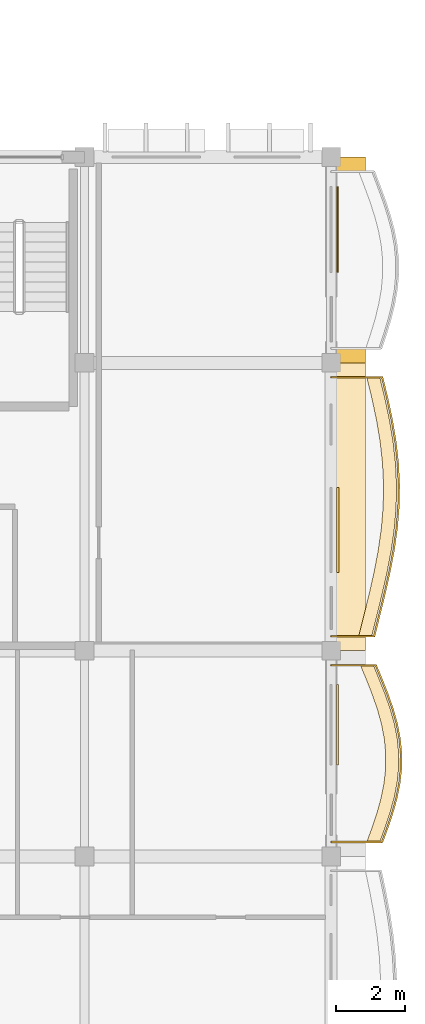
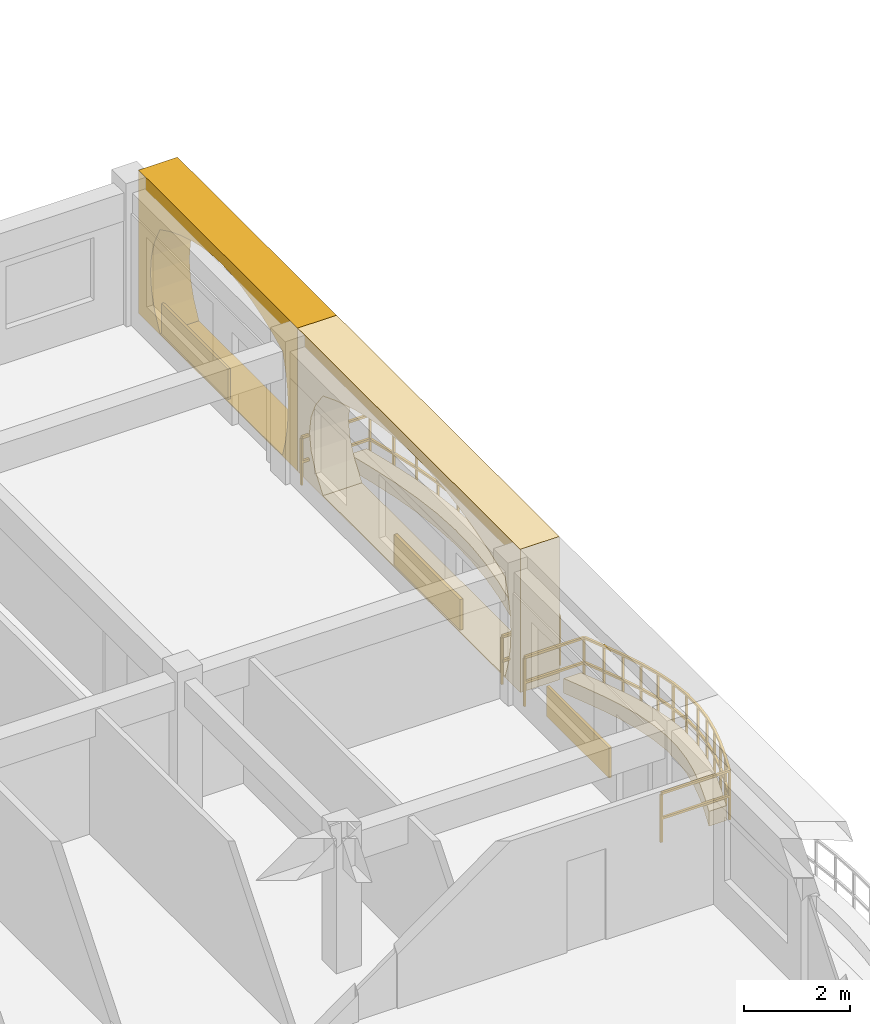
# One storey, part 94 of 101: 7 coverings, 2 railings.
"""IFC4 building model written with IfcOpenShell, lengths in metres."""

from ifc_helpers import new_model, si_unit, direction, frame, origin, origin_2d, place, context, subcontext, project, spatial, polyline, rectangle, outline, extrude, material, layer, layer_set, type_object, element, save


model = new_model("IFC4")

# Units and contexts
model_context = context("Model", 3, precision=1e-05, world=origin(), true_north=direction((0.0, 1.0)))
body_context = subcontext(model_context, "Body", "Model", "MODEL_VIEW")
ifc_project = project(units=[si_unit("LENGTHUNIT", "METRE"), si_unit("AREAUNIT", "SQUARE_METRE"), si_unit("VOLUMEUNIT", "CUBIC_METRE"), si_unit("PLANEANGLEUNIT", "RADIAN"), si_unit("MASSUNIT", "GRAM", prefix="KILO"), si_unit("THERMODYNAMICTEMPERATUREUNIT", "KELVIN")], contexts=[model_context])

# Site, building, storey
site_placement = place(None, origin())
site = spatial("IfcSite", under=ifc_project, at=site_placement, CompositionType="ELEMENT")
building_placement = place(site_placement, origin())
building = spatial("IfcBuilding", under=site, at=building_placement, Name="Thalorik Housing Commons", CompositionType="ELEMENT")
storey_placement = place(building_placement, frame((0.0, 0.0, 8.10009765625)))
storey = spatial("IfcBuildingStorey", under=building, at=storey_placement, Name="L02", CompositionType="ELEMENT", Elevation=8.10009765625)

# Coverings
ifc_material_1 = material(Name="Cobalt blue glazed ceramic facade tile panel", Category="masonry")
ifc_layer_1 = layer(ifc_material_1, 0.06005859375, Name="Cobalt blue glazed ceramic facade tile panel", Category="masonry")
ifc_layer_set_1 = layer_set([ifc_layer_1], Name="Cobalt blue glazed ceramic facade tile panel")
covering_type_1 = type_object("IfcCoveringType", Name="ARC-CLD-BLU-60", PredefinedType="CLADDING", material=ifc_layer_set_1)
covering_1_placement = place(storey_placement, frame((174.1875, 55.43994140625, 0.0498046875), z_axis=(0.0, 0.0, 1.0), x_axis=(0.0, 1.0, 0.0)))
element("IfcCovering", 1, at=covering_1_placement, inside=storey, type_object=covering_type_1, Name="L02 De Stijl Recessed Window Spandrel 4677", PredefinedType="CLADDING", context=body_context, shape_type="SweptSolid", body=[
    extrude(rectangle(XDim=2.35009765625, YDim=0.06005859375, at=origin_2d()), origin(), (0.0, 0.0, 1.0), 0.699951171875),
])
ifc_material_2 = material(Name="Precast concrete C40/50", Category="concrete")
ifc_layer_2 = layer(ifc_material_2, 0.85009765625, Name="Precast concrete C40/50", Category="concrete")
ifc_layer_set_2 = layer_set([ifc_layer_2], Name="Precast concrete C40/50")
covering_type_2 = type_object("IfcCoveringType", Name="ARC-CLD-CUSH-850", PredefinedType="CLADDING", material=ifc_layer_set_2)
covering_2_placement = place(storey_placement, frame((174.577392578125, 61.800048828125, 0.0), z_axis=(0.0, 0.0, 1.0), x_axis=(0.0, 1.0, 0.0)))
element("IfcCovering", 2, at=covering_2_placement, inside=storey, type_object=covering_type_2, Name="L02 White Precast Curved Cushion Bay Frame 4678", PredefinedType="CLADDING", context=body_context, shape_type="SweptSolid", body=[
    extrude(outline(polyline([(-4.199951171875, 0.0), (4.199951171875, 0.0), (4.199951171875, 3.300048828125), (-4.199951171875, 3.300048828125), (-4.199951171875, 0.0)]), holes=[polyline([(3.239990234375, 0.02490234375), (3.523193359375, 0.407470703125), (3.693359375, 0.7900390625), (3.75, 1.172607421875), (3.693359375, 1.554931640625), (3.523193359375, 1.9375), (3.239990234375, 2.320068359375), (2.66748046875, 2.539306640625), (2.094970703125, 2.711181640625), (1.5224609375, 2.8505859375), (0.949951171875, 2.954345703125), (0.37744140625, 3.018310546875), (-0.195068359375, 3.0400390625), (-0.767578125, 3.018310546875), (-1.340087890625, 2.954345703125), (-1.91259765625, 2.8505859375), (-2.485107421875, 2.711181640625), (-3.0576171875, 2.539306640625), (-3.6298828125, 2.320068359375), (-3.750244140625, 1.9375), (-3.822509765625, 1.554931640625), (-3.8466796875, 1.172607421875), (-3.822509765625, 0.7900390625), (-3.750244140625, 0.407470703125), (-3.6298828125, 0.02490234375), (3.239990234375, 0.02490234375)])]), frame((0.0, 0.425048828125, 0.0), z_axis=(0.0, -1.0, 0.0), x_axis=(1.0, 0.0, 0.0)), (0.0, 0.0, 1.0), 0.85009765625),
])
covering_3_placement = place(storey_placement, frame((174.577392578125, 69.0, 0.0), z_axis=(0.0, 0.0, 1.0), x_axis=(0.0, 1.0, 0.0)))
element("IfcCovering", 3, at=covering_3_placement, inside=storey, type_object=covering_type_2, Name="L02 White Precast Curved Cushion Bay Frame 4680", PredefinedType="CLADDING", context=body_context, shape_type="SweptSolid", body=[
    extrude(outline(polyline([(-3.0, 0.0), (3.0, 0.0), (3.0, 3.300048828125), (-3.0, 3.300048828125), (-3.0, 0.0)]), holes=[polyline([(2.18994140625, 0.02490234375), (2.389892578125, 0.42431640625), (2.510009765625, 0.8232421875), (2.550048828125, 1.222412109375), (2.510009765625, 1.62158203125), (2.389892578125, 2.020751953125), (2.18994140625, 2.419921875), (1.804931640625, 2.608642578125), (1.419921875, 2.7568359375), (1.034912109375, 2.876953125), (0.64990234375, 2.96630859375), (0.264892578125, 3.021484375), (-0.1201171875, 3.0400390625), (-0.5048828125, 3.021484375), (-0.889892578125, 2.96630859375), (-1.27490234375, 2.876953125), (-1.659912109375, 2.7568359375), (-2.044921875, 2.608642578125), (-2.429931640625, 2.419921875), (-2.55029296875, 2.020751953125), (-2.62255859375, 1.62158203125), (-2.646484375, 1.222412109375), (-2.62255859375, 0.8232421875), (-2.55029296875, 0.42431640625), (-2.429931640625, 0.02490234375), (2.18994140625, 0.02490234375)])]), frame((0.0, 0.425048828125, 0.0), z_axis=(0.0, -1.0, 0.0), x_axis=(1.0, 0.0, 0.0)), (0.0, 0.0, 1.0), 0.85009765625),
])
ifc_material_3 = material(Name="Terracotta red mineral fibre-cement panel", Category="masonry")
ifc_layer_3 = layer(ifc_material_3, 0.054931640625, Name="Terracotta red mineral fibre-cement panel", Category="masonry")
ifc_layer_set_3 = layer_set([ifc_layer_3], Name="Terracotta red mineral fibre-cement panel")
covering_type_3 = type_object("IfcCoveringType", Name="ARC-CLD-RED-55", PredefinedType="CLADDING", material=ifc_layer_set_3)
covering_4_placement = place(storey_placement, frame((174.18505859375, 69.889892578125, 0.0498046875), z_axis=(0.0, 0.0, 1.0), x_axis=(0.0, 1.0, 0.0)))
element("IfcCovering", 4, at=covering_4_placement, inside=storey, type_object=covering_type_3, Name="L02 De Stijl Recessed Window Spandrel 4681", PredefinedType="CLADDING", context=body_context, shape_type="SweptSolid", body=[
    extrude(rectangle(XDim=2.5, YDim=0.054931640625, at=origin_2d()), origin(), (0.0, 0.0, 1.0), 0.699951171875),
])
ifc_material_4 = material(Name="Mineral ochre architectural terracotta panel", Category="masonry")
ifc_layer_4 = layer(ifc_material_4, 0.06494140625, Name="Mineral ochre architectural terracotta panel", Category="masonry")
ifc_layer_set_4 = layer_set([ifc_layer_4], Name="Mineral ochre architectural terracotta panel")
covering_type_4 = type_object("IfcCoveringType", Name="ARC-CLD-YEL-65", PredefinedType="CLADDING", material=ifc_layer_set_4)
covering_5_placement = place(storey_placement, frame((174.18994140625, 61.12744140625, 0.0498046875), z_axis=(0.0, 0.0, 1.0), x_axis=(0.0, 1.0, 0.0)))
element("IfcCovering", 5, at=covering_5_placement, inside=storey, type_object=covering_type_4, Name="L02 De Stijl Recessed Window Spandrel 4679", PredefinedType="CLADDING", context=body_context, shape_type="SweptSolid", body=[
    extrude(rectangle(XDim=2.47998046875, YDim=0.06494140625, at=origin_2d()), origin(), (0.0, 0.0, 1.0), 0.699951171875),
])
ifc_material_5 = material(Name="Planted vegetated substrate and terracotta trough", Category="masonry")
ifc_layer_5 = layer(ifc_material_5, 0.340087890625, Name="Planted vegetated substrate and terracotta trough", Category="masonry")
ifc_layer_set_5 = layer_set([ifc_layer_5], Name="Planted vegetated substrate and terracotta trough")
covering_type_5 = type_object("IfcCoveringType", Name="ARC-COV-PLANTER", PredefinedType="USERDEFINED", material=ifc_layer_set_5)
covering_6_placement = place(storey_placement, origin())
element("IfcCovering", 6, at=covering_6_placement, inside=storey, type_object=covering_type_5, Name="L02 Balcony Slab-Edge Planted Trough 5647", ObjectType="PLANTER", PredefinedType="USERDEFINED", context=body_context, shape_type="SweptSolid", body=[
    extrude(outline(polyline([(175.41748046875, 52.02001953125), (175.57568359375, 52.449951171875), (175.71875, 52.8798828125), (175.837158203125, 53.31005859375), (175.922119140625, 53.739990234375), (175.9677734375, 54.169921875), (175.970458984375, 54.60009765625), (175.929443359375, 55.030029296875), (175.8466796875, 55.4599609375), (175.72705078125, 55.889892578125), (175.578125, 56.320068359375), (175.409423828125, 56.75), (175.231689453125, 57.179931640625), (174.8515625, 57.179931640625), (175.029541015625, 56.75), (175.1982421875, 56.320068359375), (175.34716796875, 55.889892578125), (175.466552734375, 55.4599609375), (175.54931640625, 55.030029296875), (175.590576171875, 54.60009765625), (175.587890625, 54.169921875), (175.5419921875, 53.739990234375), (175.45703125, 53.31005859375), (175.3388671875, 52.8798828125), (175.19580078125, 52.449951171875), (175.03759765625, 52.02001953125), (175.41748046875, 52.02001953125)])), origin(), (0.0, 0.0, 1.0), 0.33984375),
])
covering_7_placement = place(storey_placement, origin())
element("IfcCovering", 7, at=covering_7_placement, inside=storey, type_object=covering_type_5, Name="L02 Balcony Slab-Edge Planted Trough 5648", ObjectType="PLANTER", PredefinedType="USERDEFINED", context=body_context, shape_type="SweptSolid", body=[
    extrude(outline(polyline([(175.1826171875, 58.02001953125), (175.338623046875, 58.64990234375), (175.492919921875, 59.280029296875), (175.634521484375, 59.909912109375), (175.754150390625, 60.5400390625), (175.84326171875, 61.169921875), (175.8955078125, 61.800048828125), (175.9072265625, 62.429931640625), (175.87744140625, 63.06005859375), (175.807861328125, 63.68994140625), (175.703125, 64.320068359375), (175.570068359375, 64.949951171875), (175.417724609375, 65.580078125), (175.037841796875, 65.580078125), (175.190185546875, 64.949951171875), (175.322998046875, 64.320068359375), (175.427734375, 63.68994140625), (175.497314453125, 63.06005859375), (175.527099609375, 62.429931640625), (175.515380859375, 61.800048828125), (175.463134765625, 61.169921875), (175.3740234375, 60.5400390625), (175.254638671875, 59.909912109375), (175.11279296875, 59.280029296875), (174.958740234375, 58.64990234375), (174.802490234375, 58.02001953125), (175.1826171875, 58.02001953125)])), origin(), (0.0, 0.0, 1.0), 0.33984375),
])

# Railings
ifc_material_6 = material(Name="Steel S355", Category="steel")
railing_type_1 = type_object("IfcRailingType", Name="ARC-RL-BAL-112", PredefinedType="BALUSTRADE", material=ifc_material_6)
railing_1_placement = place(storey_placement, frame((174.0, 58.02001953125, 0.0)))
element("IfcRailing", 8, at=railing_1_placement, inside=storey, type_object=railing_type_1, Name="L02 Cushion Balcony Guardrail 332", PredefinedType="BALUSTRADE", context=body_context, shape_type="SweptSolid", body=[
    extrude(rectangle(XDim=0.050048828125, YDim=0.050048828125, at=origin_2d()), frame((0.0, 0.0, 1.09521484375), z_axis=(1.0, 0.0, 0.0), x_axis=(0.0, 1.0, 0.0)), (0.0, 0.0, 1.0), 1.252685546875),
    extrude(rectangle(XDim=0.050048828125, YDim=0.050048828125, at=origin_2d()), frame((0.0, 0.0, 0.53515625), z_axis=(1.0, 0.0, 0.0), x_axis=(0.0, 1.0, 0.0)), (0.0, 0.0, 1.0), 1.252685546875),
    extrude(rectangle(XDim=0.050048828125, YDim=0.050048828125, at=origin_2d()), frame((1.252685546875, 0.0, 1.09521484375), z_axis=(0.240410455046, 0.970671320842, 0.0), x_axis=(-0.970671320842, 0.240410455046, 0.0)), (0.0, 0.0, 1.0), 0.64892578125),
    extrude(rectangle(XDim=0.050048828125, YDim=0.050048828125, at=origin_2d()), frame((1.252685546875, 0.0, 0.53515625), z_axis=(0.240410455046, 0.970671320842, 0.0), x_axis=(-0.970671320842, 0.240410455046, 0.0)), (0.0, 0.0, 1.0), 0.64892578125),
    extrude(rectangle(XDim=0.050048828125, YDim=0.050048828125, at=origin_2d()), frame((1.40869140625, 0.6298828125, 1.09521484375), z_axis=(0.237484658491, 0.971391289327, 0.0), x_axis=(-0.971391289328, 0.237484658491, 0.0)), (0.0, 0.0, 1.0), 0.648681640625),
    extrude(rectangle(XDim=0.050048828125, YDim=0.050048828125, at=origin_2d()), frame((1.40869140625, 0.6298828125, 0.53515625), z_axis=(0.237484658491, 0.971391289327, 0.0), x_axis=(-0.971391289328, 0.237484658491, 0.0)), (0.0, 0.0, 1.0), 0.648681640625),
    extrude(rectangle(XDim=0.050048828125, YDim=0.050048828125, at=origin_2d()), frame((1.562744140625, 1.260009765625, 1.09521484375), z_axis=(0.219692145042, 0.975569249929, 0.0), x_axis=(-0.975569249929, 0.219692145042, 0.0)), (0.0, 0.0, 1.0), 0.645751953125),
    extrude(rectangle(XDim=0.050048828125, YDim=0.050048828125, at=origin_2d()), frame((1.562744140625, 1.260009765625, 0.53515625), z_axis=(0.219692145042, 0.975569249929, 0.0), x_axis=(-0.975569249929, 0.219692145042, 0.0)), (0.0, 0.0, 1.0), 0.645751953125),
    extrude(rectangle(XDim=0.050048828125, YDim=0.050048828125, at=origin_2d()), frame((1.70458984375, 1.889892578125, 1.09521484375), z_axis=(0.186517363657, 0.982451664488, 0.0), x_axis=(-0.982451664488, 0.186517363657, 0.0)), (0.0, 0.0, 1.0), 0.641357421875),
    extrude(rectangle(XDim=0.050048828125, YDim=0.050048828125, at=origin_2d()), frame((1.70458984375, 1.889892578125, 0.53515625), z_axis=(0.186517363657, 0.982451664488, 0.0), x_axis=(-0.982451664488, 0.186517363657, 0.0)), (0.0, 0.0, 1.0), 0.641357421875),
    extrude(rectangle(XDim=0.050048828125, YDim=0.050048828125, at=origin_2d()), frame((1.82421875, 2.52001953125, 1.09521484375), z_axis=(0.139701736932, 0.990193629902, 0.0), x_axis=(-0.990193629902, 0.139701736932, 0.0)), (0.0, 0.0, 1.0), 0.63623046875),
    extrude(rectangle(XDim=0.050048828125, YDim=0.050048828125, at=origin_2d()), frame((1.82421875, 2.52001953125, 0.53515625), z_axis=(0.139701736932, 0.990193629902, 0.0), x_axis=(-0.990193629902, 0.139701736932, 0.0)), (0.0, 0.0, 1.0), 0.63623046875),
    extrude(rectangle(XDim=0.050048828125, YDim=0.050048828125, at=origin_2d()), frame((1.9130859375, 3.14990234375, 1.09521484375), z_axis=(0.083013525928, 0.996548420556, 0.0), x_axis=(-0.996548420556, 0.083013525928, 0.0)), (0.0, 0.0, 1.0), 0.63232421875),
    extrude(rectangle(XDim=0.050048828125, YDim=0.050048828125, at=origin_2d()), frame((1.9130859375, 3.14990234375, 0.53515625), z_axis=(0.083013525928, 0.996548420556, 0.0), x_axis=(-0.996548420556, 0.083013525928, 0.0)), (0.0, 0.0, 1.0), 0.63232421875),
    extrude(rectangle(XDim=0.050048828125, YDim=0.050048828125, at=origin_2d()), frame((1.965576171875, 3.780029296875, 1.09521484375), z_axis=(0.018601432156, 0.999826978393, 0.0), x_axis=(-0.999826978393, 0.018601432156, 0.0)), (0.0, 0.0, 1.0), 0.6298828125),
    extrude(rectangle(XDim=0.050048828125, YDim=0.050048828125, at=origin_2d()), frame((1.965576171875, 3.780029296875, 0.53515625), z_axis=(0.018601432156, 0.999826978393, 0.0), x_axis=(-0.999826978393, 0.018601432156, 0.0)), (0.0, 0.0, 1.0), 0.6298828125),
    extrude(rectangle(XDim=0.050048828125, YDim=0.050048828125, at=origin_2d()), frame((1.977294921875, 4.409912109375, 1.09521484375), z_axis=(-0.047215782637, 0.998884713002, 0.0), x_axis=(-0.998884713002, -0.047215782637, 0.0)), (0.0, 0.0, 1.0), 0.630859375),
    extrude(rectangle(XDim=0.050048828125, YDim=0.050048828125, at=origin_2d()), frame((1.977294921875, 4.409912109375, 0.53515625), z_axis=(-0.047215782637, 0.998884713002, 0.0), x_axis=(-0.998884713002, -0.047215782637, 0.0)), (0.0, 0.0, 1.0), 0.630859375),
    extrude(rectangle(XDim=0.050048828125, YDim=0.050048828125, at=origin_2d()), frame((1.947509765625, 5.0400390625, 1.09521484375), z_axis=(-0.110177829709, 0.993911890381, 0.0), x_axis=(-0.993911890381, -0.110177829709, 0.0)), (0.0, 0.0, 1.0), 0.6337890625),
    extrude(rectangle(XDim=0.050048828125, YDim=0.050048828125, at=origin_2d()), frame((1.947509765625, 5.0400390625, 0.53515625), z_axis=(-0.110177829709, 0.993911890381, 0.0), x_axis=(-0.993911890381, -0.110177829709, 0.0)), (0.0, 0.0, 1.0), 0.6337890625),
    extrude(rectangle(XDim=0.050048828125, YDim=0.050048828125, at=origin_2d()), frame((1.877685546875, 5.669921875, 1.09521484375), z_axis=(-0.163593156612, 0.98652789069, 0.0), x_axis=(-0.98652789069, -0.163593156612, 0.0)), (0.0, 0.0, 1.0), 0.638671875),
    extrude(rectangle(XDim=0.050048828125, YDim=0.050048828125, at=origin_2d()), frame((1.877685546875, 5.669921875, 0.53515625), z_axis=(-0.163593156612, 0.98652789069, 0.0), x_axis=(-0.98652789069, -0.163593156612, 0.0)), (0.0, 0.0, 1.0), 0.638671875),
    extrude(rectangle(XDim=0.050048828125, YDim=0.050048828125, at=origin_2d()), frame((1.773193359375, 6.300048828125, 1.09521484375), z_axis=(-0.206679363276, 0.978408728904, 0.0), x_axis=(-0.978408728904, -0.206679363276, 0.0)), (0.0, 0.0, 1.0), 0.643798828125),
    extrude(rectangle(XDim=0.050048828125, YDim=0.050048828125, at=origin_2d()), frame((1.773193359375, 6.300048828125, 0.53515625), z_axis=(-0.206679363276, 0.978408728904, 0.0), x_axis=(-0.978408728904, -0.206679363276, 0.0)), (0.0, 0.0, 1.0), 0.643798828125),
    extrude(rectangle(XDim=0.050048828125, YDim=0.050048828125, at=origin_2d()), frame((1.64013671875, 6.929931640625, 1.09521484375), z_axis=(-0.234996380165, 0.971996245522, 0.0), x_axis=(-0.971996245522, -0.234996380165, 0.0)), (0.0, 0.0, 1.0), 0.648193359375),
    extrude(rectangle(XDim=0.050048828125, YDim=0.050048828125, at=origin_2d()), frame((1.64013671875, 6.929931640625, 0.53515625), z_axis=(-0.234996380165, 0.971996245522, 0.0), x_axis=(-0.971996245522, -0.234996380165, 0.0)), (0.0, 0.0, 1.0), 0.648193359375),
    extrude(rectangle(XDim=0.050048828125, YDim=0.050048828125, at=origin_2d()), frame((1.48779296875, 7.56005859375, 1.09521484375), z_axis=(-1.0, 0.0, 0.0), x_axis=(0.0, -1.0, 0.0)), (0.0, 0.0, 1.0), 1.48779296875),
    extrude(rectangle(XDim=0.050048828125, YDim=0.050048828125, at=origin_2d()), frame((1.48779296875, 7.56005859375, 0.53515625), z_axis=(-1.0, 0.0, 0.0), x_axis=(0.0, -1.0, 0.0)), (0.0, 0.0, 1.0), 1.48779296875),
    extrude(rectangle(XDim=0.0419921875, YDim=0.0419921875, at=origin_2d()), origin(), (0.0, 0.0, 1.0), 1.070068359375),
    extrude(rectangle(XDim=0.0419921875, YDim=0.0419921875, at=origin_2d()), frame((1.252685546875, 0.0, 0.0)), (0.0, 0.0, 1.0), 1.070068359375),
    extrude(rectangle(XDim=0.0419921875, YDim=0.0419921875, at=origin_2d()), frame((1.40869140625, 0.6298828125, 0.0)), (0.0, 0.0, 1.0), 1.070068359375),
    extrude(rectangle(XDim=0.0419921875, YDim=0.0419921875, at=origin_2d()), frame((1.562744140625, 1.260009765625, 0.0)), (0.0, 0.0, 1.0), 1.070068359375),
    extrude(rectangle(XDim=0.0419921875, YDim=0.0419921875, at=origin_2d()), frame((1.70458984375, 1.889892578125, 0.0)), (0.0, 0.0, 1.0), 1.070068359375),
    extrude(rectangle(XDim=0.0419921875, YDim=0.0419921875, at=origin_2d()), frame((1.82421875, 2.52001953125, 0.0)), (0.0, 0.0, 1.0), 1.070068359375),
    extrude(rectangle(XDim=0.0419921875, YDim=0.0419921875, at=origin_2d()), frame((1.9130859375, 3.14990234375, 0.0)), (0.0, 0.0, 1.0), 1.070068359375),
    extrude(rectangle(XDim=0.0419921875, YDim=0.0419921875, at=origin_2d()), frame((1.965576171875, 3.780029296875, 0.0)), (0.0, 0.0, 1.0), 1.070068359375),
    extrude(rectangle(XDim=0.0419921875, YDim=0.0419921875, at=origin_2d()), frame((1.977294921875, 4.409912109375, 0.0)), (0.0, 0.0, 1.0), 1.070068359375),
    extrude(rectangle(XDim=0.0419921875, YDim=0.0419921875, at=origin_2d()), frame((1.947509765625, 5.0400390625, 0.0)), (0.0, 0.0, 1.0), 1.070068359375),
    extrude(rectangle(XDim=0.0419921875, YDim=0.0419921875, at=origin_2d()), frame((1.877685546875, 5.669921875, 0.0)), (0.0, 0.0, 1.0), 1.070068359375),
    extrude(rectangle(XDim=0.0419921875, YDim=0.0419921875, at=origin_2d()), frame((1.773193359375, 6.300048828125, 0.0)), (0.0, 0.0, 1.0), 1.070068359375),
    extrude(rectangle(XDim=0.0419921875, YDim=0.0419921875, at=origin_2d()), frame((1.64013671875, 6.929931640625, 0.0)), (0.0, 0.0, 1.0), 1.070068359375),
    extrude(rectangle(XDim=0.0419921875, YDim=0.0419921875, at=origin_2d()), frame((1.48779296875, 7.56005859375, 0.0)), (0.0, 0.0, 1.0), 1.070068359375),
    extrude(rectangle(XDim=0.0419921875, YDim=0.0419921875, at=origin_2d()), frame((0.0, 7.56005859375, 0.0)), (0.0, 0.0, 1.0), 1.070068359375),
])
railing_type_2 = type_object("IfcRailingType", Name="ARC-RL-BAL-115", PredefinedType="BALUSTRADE", material=ifc_material_6)
railing_2_placement = place(storey_placement, frame((174.0, 52.02001953125, 0.0)))
element("IfcRailing", 9, at=railing_2_placement, inside=storey, type_object=railing_type_2, Name="L02 Cushion Balcony Guardrail 331", PredefinedType="BALUSTRADE", context=body_context, shape_type="SweptSolid", body=[
    extrude(rectangle(XDim=0.050048828125, YDim=0.050048828125, at=origin_2d()), frame((0.0, 0.0, 1.125), z_axis=(1.0, 0.0, 0.0), x_axis=(0.0, 1.0, 0.0)), (0.0, 0.0, 1.0), 1.487548828125),
    extrude(rectangle(XDim=0.050048828125, YDim=0.050048828125, at=origin_2d()), frame((0.0, 0.0, 0.5498046875), z_axis=(1.0, 0.0, 0.0), x_axis=(0.0, 1.0, 0.0)), (0.0, 0.0, 1.0), 1.487548828125),
    extrude(rectangle(XDim=0.050048828125, YDim=0.050048828125, at=origin_2d()), frame((1.487548828125, 0.0, 1.125), z_axis=(0.345334884574, 0.938479524282, 0.0), x_axis=(-0.938479524282, 0.345334884574, 0.0)), (0.0, 0.0, 1.0), 0.4580078125),
    extrude(rectangle(XDim=0.050048828125, YDim=0.050048828125, at=origin_2d()), frame((1.487548828125, 0.0, 0.5498046875), z_axis=(0.345334884574, 0.938479524282, 0.0), x_axis=(-0.938479524282, 0.345334884574, 0.0)), (0.0, 0.0, 1.0), 0.4580078125),
    extrude(rectangle(XDim=0.050048828125, YDim=0.050048828125, at=origin_2d()), frame((1.645751953125, 0.429931640625, 1.125), z_axis=(0.315742795496, 0.948844817182, 0.0), x_axis=(-0.948844817182, 0.315742795496, 0.0)), (0.0, 0.0, 1.0), 0.453125),
    extrude(rectangle(XDim=0.050048828125, YDim=0.050048828125, at=origin_2d()), frame((1.645751953125, 0.429931640625, 0.5498046875), z_axis=(0.315742795496, 0.948844817182, 0.0), x_axis=(-0.948844817182, 0.315742795496, 0.0)), (0.0, 0.0, 1.0), 0.453125),
    extrude(rectangle(XDim=0.050048828125, YDim=0.050048828125, at=origin_2d()), frame((1.788818359375, 0.85986328125, 1.125), z_axis=(0.264876638102, 0.964282306479, 0.0), x_axis=(-0.964282306479, 0.264876638102, 0.0)), (0.0, 0.0, 1.0), 0.446044921875),
    extrude(rectangle(XDim=0.050048828125, YDim=0.050048828125, at=origin_2d()), frame((1.788818359375, 0.85986328125, 0.5498046875), z_axis=(0.264876638102, 0.964282306479, 0.0), x_axis=(-0.964282306479, 0.264876638102, 0.0)), (0.0, 0.0, 1.0), 0.446044921875),
    extrude(rectangle(XDim=0.050048828125, YDim=0.050048828125, at=origin_2d()), frame((1.906982421875, 1.2900390625, 1.125), z_axis=(0.194401910851, 0.980921962777, 0.0), x_axis=(-0.980921962777, 0.194401910851, 0.0)), (0.0, 0.0, 1.0), 0.438232421875),
    extrude(rectangle(XDim=0.050048828125, YDim=0.050048828125, at=origin_2d()), frame((1.906982421875, 1.2900390625, 0.5498046875), z_axis=(0.194401910851, 0.980921962777, 0.0), x_axis=(-0.980921962777, 0.194401910851, 0.0)), (0.0, 0.0, 1.0), 0.438232421875),
    extrude(rectangle(XDim=0.050048828125, YDim=0.050048828125, at=origin_2d()), frame((1.9921875, 1.719970703125, 1.125), z_axis=(0.105595970915, 0.994409116474, 0.0), x_axis=(-0.994409116474, 0.105595970915, 0.0)), (0.0, 0.0, 1.0), 0.432373046875),
    extrude(rectangle(XDim=0.050048828125, YDim=0.050048828125, at=origin_2d()), frame((1.9921875, 1.719970703125, 0.5498046875), z_axis=(0.105595970915, 0.994409116474, 0.0), x_axis=(-0.994409116474, 0.105595970915, 0.0)), (0.0, 0.0, 1.0), 0.432373046875),
    extrude(rectangle(XDim=0.050048828125, YDim=0.050048828125, at=origin_2d()), frame((2.037841796875, 2.14990234375, 1.125), z_axis=(0.006242784137, 0.999980513633, 0.0), x_axis=(-0.999980513633, 0.006242784137, 0.0)), (0.0, 0.0, 1.0), 0.43017578125),
    extrude(rectangle(XDim=0.050048828125, YDim=0.050048828125, at=origin_2d()), frame((2.037841796875, 2.14990234375, 0.5498046875), z_axis=(0.006242784137, 0.999980513633, 0.0), x_axis=(-0.999980513633, 0.006242784137, 0.0)), (0.0, 0.0, 1.0), 0.43017578125),
    extrude(rectangle(XDim=0.050048828125, YDim=0.050048828125, at=origin_2d()), frame((2.04052734375, 2.580078125, 1.125), z_axis=(-0.094969151771, 0.995480215882, 0.0), x_axis=(-0.995480215882, -0.094969151771, 0.0)), (0.0, 0.0, 1.0), 0.431884765625),
    extrude(rectangle(XDim=0.050048828125, YDim=0.050048828125, at=origin_2d()), frame((2.04052734375, 2.580078125, 0.5498046875), z_axis=(-0.094969151771, 0.995480215882, 0.0), x_axis=(-0.995480215882, -0.094969151771, 0.0)), (0.0, 0.0, 1.0), 0.431884765625),
    extrude(rectangle(XDim=0.050048828125, YDim=0.050048828125, at=origin_2d()), frame((1.99951171875, 3.010009765625, 1.125), z_axis=(-0.189571139185, 0.981866988542, 0.0), x_axis=(-0.981866988542, -0.189571139185, 0.0)), (0.0, 0.0, 1.0), 0.43798828125),
    extrude(rectangle(XDim=0.050048828125, YDim=0.050048828125, at=origin_2d()), frame((1.99951171875, 3.010009765625, 0.5498046875), z_axis=(-0.189571139185, 0.981866988542, 0.0), x_axis=(-0.981866988542, -0.189571139185, 0.0)), (0.0, 0.0, 1.0), 0.43798828125),
    extrude(rectangle(XDim=0.050048828125, YDim=0.050048828125, at=origin_2d()), frame((1.91650390625, 3.43994140625, 1.125), z_axis=(-0.267559202538, 0.963541422637, 0.0), x_axis=(-0.963541422637, -0.267559202538, 0.0)), (0.0, 0.0, 1.0), 0.4462890625),
    extrude(rectangle(XDim=0.050048828125, YDim=0.050048828125, at=origin_2d()), frame((1.91650390625, 3.43994140625, 0.5498046875), z_axis=(-0.267559202538, 0.963541422637, 0.0), x_axis=(-0.963541422637, -0.267559202538, 0.0)), (0.0, 0.0, 1.0), 0.4462890625),
    extrude(rectangle(XDim=0.050048828125, YDim=0.050048828125, at=origin_2d()), frame((1.797119140625, 3.869873046875, 1.125), z_axis=(-0.327147403761, 0.944973320371, 0.0), x_axis=(-0.944973320371, -0.327147403761, 0.0)), (0.0, 0.0, 1.0), 0.455322265625),
    extrude(rectangle(XDim=0.050048828125, YDim=0.050048828125, at=origin_2d()), frame((1.797119140625, 3.869873046875, 0.5498046875), z_axis=(-0.327147403761, 0.944973320371, 0.0), x_axis=(-0.944973320371, -0.327147403761, 0.0)), (0.0, 0.0, 1.0), 0.455322265625),
    extrude(rectangle(XDim=0.050048828125, YDim=0.050048828125, at=origin_2d()), frame((1.648193359375, 4.300048828125, 1.125), z_axis=(-0.365276175651, 0.930899197283, 0.0), x_axis=(-0.930899197283, -0.365276175651, 0.0)), (0.0, 0.0, 1.0), 0.4619140625),
    extrude(rectangle(XDim=0.050048828125, YDim=0.050048828125, at=origin_2d()), frame((1.648193359375, 4.300048828125, 0.5498046875), z_axis=(-0.365276175651, 0.930899197283, 0.0), x_axis=(-0.930899197283, -0.365276175651, 0.0)), (0.0, 0.0, 1.0), 0.4619140625),
    extrude(rectangle(XDim=0.050048828125, YDim=0.050048828125, at=origin_2d()), frame((1.4794921875, 4.72998046875, 1.125), z_axis=(-0.382490814953, 0.923959293734, 0.0), x_axis=(-0.923959293734, -0.382490814953, 0.0)), (0.0, 0.0, 1.0), 0.46533203125),
    extrude(rectangle(XDim=0.050048828125, YDim=0.050048828125, at=origin_2d()), frame((1.4794921875, 4.72998046875, 0.5498046875), z_axis=(-0.382490814953, 0.923959293734, 0.0), x_axis=(-0.923959293734, -0.382490814953, 0.0)), (0.0, 0.0, 1.0), 0.46533203125),
    extrude(rectangle(XDim=0.050048828125, YDim=0.050048828125, at=origin_2d()), frame((1.301513671875, 5.159912109375, 1.125), z_axis=(-1.0, 0.0, 0.0), x_axis=(0.0, -1.0, 0.0)), (0.0, 0.0, 1.0), 1.301513671875),
    extrude(rectangle(XDim=0.050048828125, YDim=0.050048828125, at=origin_2d()), frame((1.301513671875, 5.159912109375, 0.5498046875), z_axis=(-1.0, 0.0, 0.0), x_axis=(0.0, -1.0, 0.0)), (0.0, 0.0, 1.0), 1.301513671875),
    extrude(rectangle(XDim=0.0419921875, YDim=0.0419921875, at=origin_2d()), origin(), (0.0, 0.0, 1.0), 1.099853515625),
    extrude(rectangle(XDim=0.0419921875, YDim=0.0419921875, at=origin_2d()), frame((1.487548828125, 0.0, 0.0)), (0.0, 0.0, 1.0), 1.099853515625),
    extrude(rectangle(XDim=0.0419921875, YDim=0.0419921875, at=origin_2d()), frame((1.645751953125, 0.429931640625, 0.0)), (0.0, 0.0, 1.0), 1.099853515625),
    extrude(rectangle(XDim=0.0419921875, YDim=0.0419921875, at=origin_2d()), frame((1.788818359375, 0.85986328125, 0.0)), (0.0, 0.0, 1.0), 1.099853515625),
    extrude(rectangle(XDim=0.0419921875, YDim=0.0419921875, at=origin_2d()), frame((1.906982421875, 1.2900390625, 0.0)), (0.0, 0.0, 1.0), 1.099853515625),
    extrude(rectangle(XDim=0.0419921875, YDim=0.0419921875, at=origin_2d()), frame((1.9921875, 1.719970703125, 0.0)), (0.0, 0.0, 1.0), 1.099853515625),
    extrude(rectangle(XDim=0.0419921875, YDim=0.0419921875, at=origin_2d()), frame((2.037841796875, 2.14990234375, 0.0)), (0.0, 0.0, 1.0), 1.099853515625),
    extrude(rectangle(XDim=0.0419921875, YDim=0.0419921875, at=origin_2d()), frame((2.04052734375, 2.580078125, 0.0)), (0.0, 0.0, 1.0), 1.099853515625),
    extrude(rectangle(XDim=0.0419921875, YDim=0.0419921875, at=origin_2d()), frame((1.99951171875, 3.010009765625, 0.0)), (0.0, 0.0, 1.0), 1.099853515625),
    extrude(rectangle(XDim=0.0419921875, YDim=0.0419921875, at=origin_2d()), frame((1.91650390625, 3.43994140625, 0.0)), (0.0, 0.0, 1.0), 1.099853515625),
    extrude(rectangle(XDim=0.0419921875, YDim=0.0419921875, at=origin_2d()), frame((1.797119140625, 3.869873046875, 0.0)), (0.0, 0.0, 1.0), 1.099853515625),
    extrude(rectangle(XDim=0.0419921875, YDim=0.0419921875, at=origin_2d()), frame((1.648193359375, 4.300048828125, 0.0)), (0.0, 0.0, 1.0), 1.099853515625),
    extrude(rectangle(XDim=0.0419921875, YDim=0.0419921875, at=origin_2d()), frame((1.4794921875, 4.72998046875, 0.0)), (0.0, 0.0, 1.0), 1.099853515625),
    extrude(rectangle(XDim=0.0419921875, YDim=0.0419921875, at=origin_2d()), frame((1.301513671875, 5.159912109375, 0.0)), (0.0, 0.0, 1.0), 1.099853515625),
    extrude(rectangle(XDim=0.0419921875, YDim=0.0419921875, at=origin_2d()), frame((0.0, 5.159912109375, 0.0)), (0.0, 0.0, 1.0), 1.099853515625),
])

save(model, "model.ifc")
